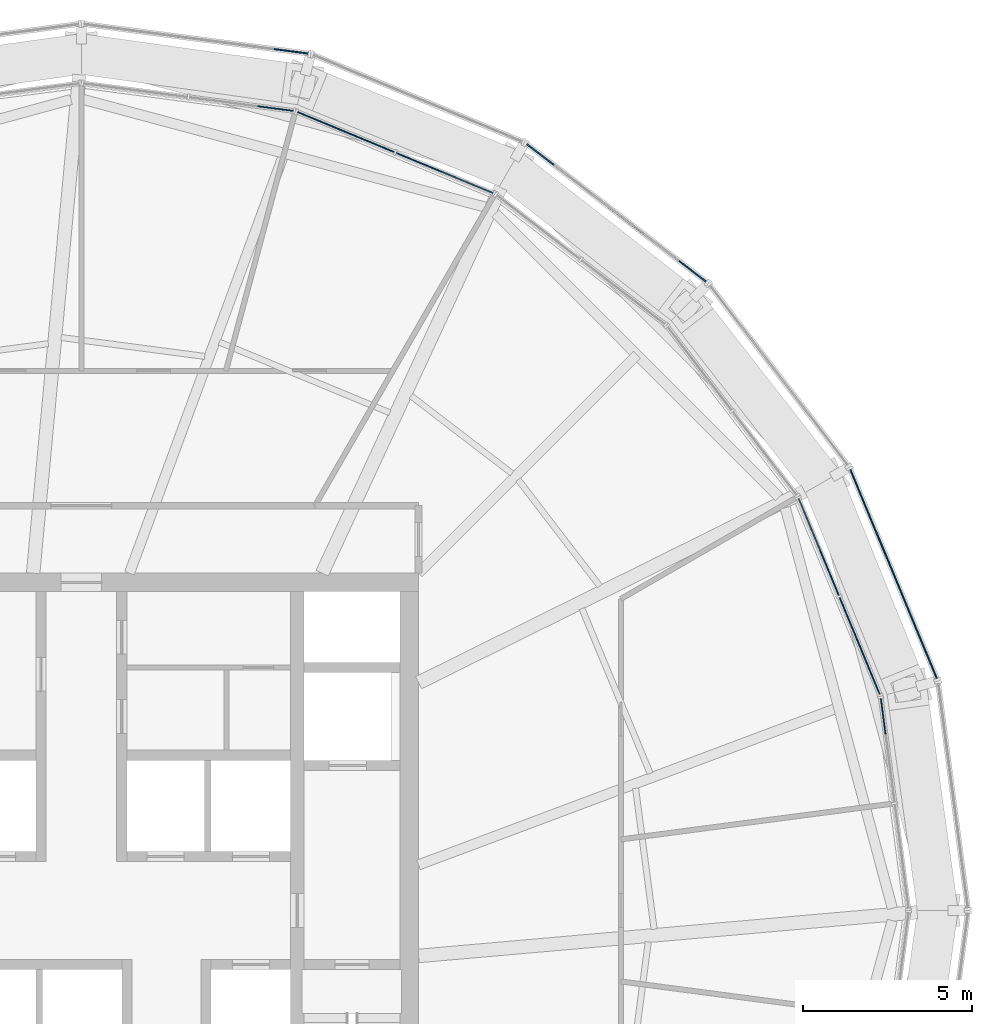
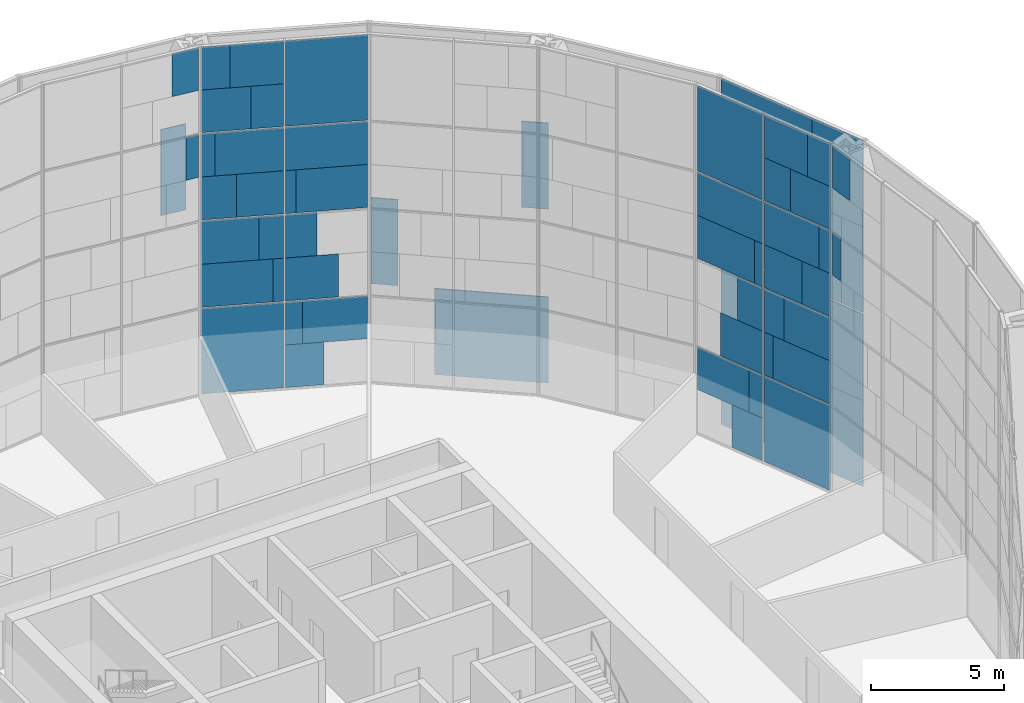
# One storey, part 25 of 29: 62 plates, 7 elements without a shape of their own.
"""IFC4 building model written with IfcOpenShell, lengths in metres."""

from ifc_helpers import new_model, si_unit, direction, frame, origin, origin_2d, place, context, subcontext, project, spatial, rectangle, extrude, material, layer, layer_set, type_object, element, aggregate, save


model = new_model("IFC4")

# Units and contexts
model_context = context("Model", 3, precision=1e-05, world=origin(), true_north=direction((0.0, 1.0)))
body_context = subcontext(model_context, "Body", "Model", "MODEL_VIEW")
ifc_project = project(units=[si_unit("LENGTHUNIT", "METRE"), si_unit("AREAUNIT", "SQUARE_METRE"), si_unit("VOLUMEUNIT", "CUBIC_METRE"), si_unit("PLANEANGLEUNIT", "RADIAN"), si_unit("MASSUNIT", "GRAM", prefix="KILO")], contexts=[model_context])

# Site, building, storey
site_placement = place(None, origin())
site = spatial("IfcSite", under=ifc_project, at=site_placement, CompositionType="ELEMENT")
building_placement = place(site_placement, origin())
building = spatial("IfcBuilding", under=site, at=building_placement, Name="Golbaran Civic Tower", CompositionType="ELEMENT")
storey_placement = place(building_placement, frame((0.0, 0.0, 118.0)))
storey = spatial("IfcBuildingStorey", under=building, at=storey_placement, Name="L28", CompositionType="ELEMENT", Elevation=118.0)

# Curtain wall, plate
ifc_material_1 = material(Name="Aluminium and glass", Category="aluminium")
curtain_wall_type_1 = type_object("IfcCurtainWallType", Name="INNER SKIN CURTAIN WALL", PredefinedType="NOTDEFINED", material=ifc_material_1)
curtain_wall_1_placement = place(storey_placement, origin())
curtain_wall_1 = element("IfcCurtainWall", 1, at=curtain_wall_1_placement, inside=storey, type_object=curtain_wall_type_1, Name="Inner skin L28 facet 1 CW1", ObjectType="INNER SKIN", PredefinedType="USERDEFINED")
ifc_material_2 = material(Name="Clear insulating glass", Category="glass")
ifc_layer_1 = layer(ifc_material_2, 0.031982421875, Name="Clear insulating glass")
ifc_layer_set_1 = layer_set([ifc_layer_1], Name="Clear insulating glass")
plate_type_1 = type_object("IfcPlateType", Name="INNER SKIN CURTAIN WALL GLAZED PANEL", PredefinedType="CURTAIN_PANEL", material=ifc_layer_set_1)
plate_1_placement = place(storey_placement, frame((23.73974609375, 6.03271484375, 10.0), z_axis=(0.0, 0.0, 1.0), x_axis=(-0.130526192237, 0.991444861372, 0.0)))
plate_1 = element("IfcPlate", 2, at=plate_1_placement, type_object=plate_type_1, Name="CW1 panel 2.3 part 4", PredefinedType="CURTAIN_PANEL", context=body_context, shape_type="SweptSolid", body=[
    extrude(rectangle(XDim=0.509765625, YDim=0.031982421875, at=origin_2d()), origin(), (0.0, 0.0, 1.0), 1.967529296875),
])

# Curtain wall, plates
curtain_wall_2_placement = place(storey_placement, origin())
curtain_wall_2 = element("IfcCurtainWall", 3, at=curtain_wall_2_placement, inside=storey, type_object=curtain_wall_type_1, Name="Inner skin L28 facet 2 CW1", ObjectType="INNER SKIN", PredefinedType="USERDEFINED")
plate_2_placement = place(storey_placement, frame((23.0791015625, 7.84423828125, 0.06494140625), z_axis=(0.0, 0.0, 1.0), x_axis=(-0.38268343243, 0.923879532485, 0.0)))
plate_2 = element("IfcPlate", 4, at=plate_2_placement, type_object=plate_type_1, Name="CW1 panel 1.1", PredefinedType="CURTAIN_PANEL", context=body_context, shape_type="SweptSolid", body=[
    extrude(rectangle(XDim=3.104736328125, YDim=0.031982421875, at=origin_2d()), origin(), (0.0, 0.0, 1.0), 3.902587890625),
])
plate_3_placement = place(storey_placement, frame((23.156005859375, 7.658447265625, 4.03271484375), z_axis=(0.0, 0.0, 1.0), x_axis=(-0.38268343243, 0.923879532485, 0.0)))
plate_3 = element("IfcPlate", 5, at=plate_3_placement, type_object=plate_type_1, Name="CW1 panel 1.2 part 1", PredefinedType="CURTAIN_PANEL", context=body_context, shape_type="SweptSolid", body=[
    extrude(rectangle(XDim=2.702880859375, YDim=0.031982421875, at=origin_2d()), origin(), (0.0, 0.0, 1.0), 1.967529296875),
])
plate_4_placement = place(storey_placement, frame((23.2587890625, 7.410400390625, 6.0), z_axis=(0.0, 0.0, 1.0), x_axis=(-0.38268343243, 0.923879532485, 0.0)))
plate_4 = element("IfcPlate", 6, at=plate_4_placement, type_object=plate_type_1, Name="CW1 panel 1.2 part 3", PredefinedType="CURTAIN_PANEL", context=body_context, shape_type="SweptSolid", body=[
    extrude(rectangle(XDim=2.166015625, YDim=0.031982421875, at=origin_2d()), origin(), (0.0, 0.0, 1.0), 1.967529296875),
])
plate_5_placement = place(storey_placement, frame((23.419677734375, 7.02197265625, 8.03271484375), z_axis=(0.0, 0.0, 1.0), x_axis=(-0.38268343243, 0.923879532485, 0.0)))
plate_5 = element("IfcPlate", 7, at=plate_5_placement, type_object=plate_type_1, Name="CW1 panel 1.3 part 1", PredefinedType="CURTAIN_PANEL", context=body_context, shape_type="SweptSolid", body=[
    extrude(rectangle(XDim=1.324951171875, YDim=0.031982421875, at=origin_2d()), origin(), (0.0, 0.0, 1.0), 1.967529296875),
])
plate_6_placement = place(storey_placement, frame((23.57568359375, 6.6455078125, 10.0), z_axis=(0.0, 0.0, 1.0), x_axis=(-0.38268343243, 0.923879532485, 0.0)))
plate_6 = element("IfcPlate", 8, at=plate_6_placement, type_object=plate_type_1, Name="CW1 panel 1.3 part 3", PredefinedType="CURTAIN_PANEL", context=body_context, shape_type="SweptSolid", body=[
    extrude(rectangle(XDim=0.510009765625, YDim=0.031982421875, at=origin_2d()), origin(), (0.0, 0.0, 1.0), 1.967529296875),
])
plate_7_placement = place(storey_placement, frame((22.720703125, 8.70947265625, 12.032470703125), z_axis=(0.0, 0.0, 1.0), x_axis=(-0.38268343243, 0.923879532485, 0.0)))
plate_7 = element("IfcPlate", 9, at=plate_7_placement, type_object=plate_type_1, Name="CW1 panel 1.4 part 2", PredefinedType="CURTAIN_PANEL", context=body_context, shape_type="SweptSolid", body=[
    extrude(rectangle(XDim=1.23193359375, YDim=0.031982421875, at=origin_2d()), origin(), (0.0, 0.0, 1.0), 1.951171875),
])
plate_8_placement = place(storey_placement, frame((22.875244140625, 8.336181640625, 13.98388671875), z_axis=(0.0, 0.0, 1.0), x_axis=(-0.38268343243, 0.923879532485, 0.0)))
plate_8 = element("IfcPlate", 10, at=plate_8_placement, type_object=plate_type_1, Name="CW1 panel 1.4 part 4", PredefinedType="CURTAIN_PANEL", context=body_context, shape_type="SweptSolid", body=[
    extrude(rectangle(XDim=2.039794921875, YDim=0.031982421875, at=origin_2d()), origin(), (0.0, 0.0, 1.0), 1.951171875),
])
plate_9_placement = place(storey_placement, frame((22.180908203125, 10.012451171875, 0.06494140625), z_axis=(0.0, 0.0, 1.0), x_axis=(-0.38268343243, 0.923879532485, 0.0)))
plate_9 = element("IfcPlate", 11, at=plate_9_placement, type_object=plate_type_1, Name="CW1 panel 2.1 part 1", PredefinedType="CURTAIN_PANEL", context=body_context, shape_type="SweptSolid", body=[
    extrude(rectangle(XDim=1.458984375, YDim=0.031982421875, at=origin_2d()), origin(), (0.0, 0.0, 1.0), 1.951171875),
])
plate_10_placement = place(storey_placement, frame((22.33544921875, 9.63916015625, 2.016357421875), z_axis=(0.0, 0.0, 1.0), x_axis=(-0.38268343243, 0.923879532485, 0.0)))
plate_10 = element("IfcPlate", 12, at=plate_10_placement, type_object=plate_type_1, Name="CW1 panel 2.1 part 3", PredefinedType="CURTAIN_PANEL", context=body_context, shape_type="SweptSolid", body=[
    extrude(rectangle(XDim=0.65087890625, YDim=0.031982421875, at=origin_2d()), origin(), (0.0, 0.0, 1.0), 1.951171875),
])
plate_11_placement = place(storey_placement, frame((21.78955078125, 10.95751953125, 8.03271484375), z_axis=(0.0, 0.0, 1.0), x_axis=(-0.38268343243, 0.923879532485, 0.0)))
plate_11 = element("IfcPlate", 13, at=plate_11_placement, type_object=plate_type_1, Name="CW1 panel 2.3 part 2", PredefinedType="CURTAIN_PANEL", context=body_context, shape_type="SweptSolid", body=[
    extrude(rectangle(XDim=2.704833984375, YDim=0.031982421875, at=origin_2d()), origin(), (0.0, 0.0, 1.0), 1.967529296875),
])
plate_12_placement = place(storey_placement, frame((21.865966796875, 10.772705078125, 10.0), z_axis=(0.0, 0.0, 1.0), x_axis=(-0.38268343243, 0.923879532485, 0.0)))
plate_12 = element("IfcPlate", 14, at=plate_12_placement, type_object=plate_type_1, Name="CW1 panel 2.3 part 3", PredefinedType="CURTAIN_PANEL", context=body_context, shape_type="SweptSolid", body=[
    extrude(rectangle(XDim=3.104736328125, YDim=0.031982421875, at=origin_2d()), origin(), (0.0, 0.0, 1.0), 1.967529296875),
])
plate_13_placement = place(storey_placement, frame((21.865966796875, 10.772705078125, 12.0322265625), z_axis=(0.0, 0.0, 1.0), x_axis=(-0.38268343243, 0.923879532485, 0.0)))
plate_13 = element("IfcPlate", 15, at=plate_13_placement, type_object=plate_type_1, Name="CW1 panel 2.4", PredefinedType="CURTAIN_PANEL", context=body_context, shape_type="SweptSolid", body=[
    extrude(rectangle(XDim=3.104736328125, YDim=0.031982421875, at=origin_2d()), origin(), (0.0, 0.0, 1.0), 3.902587890625),
])

curtain_wall_3_placement = place(storey_placement, origin())
curtain_wall_3 = element("IfcCurtainWall", 16, at=curtain_wall_3_placement, inside=storey, type_object=curtain_wall_type_1, Name="Inner skin L28 facet 5 CW1", ObjectType="INNER SKIN", PredefinedType="USERDEFINED")
plate_14_placement = place(storey_placement, frame((10.012451171875, 22.180908203125, 0.06494140625), z_axis=(0.0, 0.0, 1.0), x_axis=(-0.923879532485, 0.38268343243, 0.0)))
plate_14 = element("IfcPlate", 17, at=plate_14_placement, type_object=plate_type_1, Name="CW1 panel 1.1 part 2", PredefinedType="CURTAIN_PANEL", context=body_context, shape_type="SweptSolid", body=[
    extrude(rectangle(XDim=1.458740234375, YDim=0.031982421875, at=origin_2d()), origin(), (0.0, 0.0, 1.0), 1.951171875),
])
plate_15_placement = place(storey_placement, frame((9.6396484375, 22.33544921875, 2.016357421875), z_axis=(0.0, 0.0, 1.0), x_axis=(-0.923879532485, 0.38268343243, 0.0)))
plate_15 = element("IfcPlate", 18, at=plate_15_placement, type_object=plate_type_1, Name="CW1 panel 1.1 part 4", PredefinedType="CURTAIN_PANEL", context=body_context, shape_type="SweptSolid", body=[
    extrude(rectangle(XDim=0.65185546875, YDim=0.031982421875, at=origin_2d()), origin(), (0.0, 0.0, 1.0), 1.951171875),
])
plate_16_placement = place(storey_placement, frame((10.958251953125, 21.7890625, 8.03271484375), z_axis=(0.0, 0.0, 1.0), x_axis=(-0.923879532485, 0.38268343243, 0.0)))
plate_16 = element("IfcPlate", 19, at=plate_16_placement, type_object=plate_type_1, Name="CW1 panel 1.3 part 1", PredefinedType="CURTAIN_PANEL", context=body_context, shape_type="SweptSolid", body=[
    extrude(rectangle(XDim=2.702880859375, YDim=0.031982421875, at=origin_2d()), origin(), (0.0, 0.0, 1.0), 1.967529296875),
])
plate_17_placement = place(storey_placement, frame((10.772705078125, 21.865966796875, 10.0), z_axis=(0.0, 0.0, 1.0), x_axis=(-0.923879532485, 0.38268343243, 0.0)))
plate_17 = element("IfcPlate", 20, at=plate_17_placement, type_object=plate_type_1, Name="CW1 panel 1.3 part 3", PredefinedType="CURTAIN_PANEL", context=body_context, shape_type="SweptSolid", body=[
    extrude(rectangle(XDim=3.104736328125, YDim=0.031982421875, at=origin_2d()), origin(), (0.0, 0.0, 1.0), 1.967529296875),
])
plate_18_placement = place(storey_placement, frame((10.772705078125, 21.865966796875, 12.0322265625), z_axis=(0.0, 0.0, 1.0), x_axis=(-0.923879532485, 0.38268343243, 0.0)))
plate_18 = element("IfcPlate", 21, at=plate_18_placement, type_object=plate_type_1, Name="CW1 panel 1.4", PredefinedType="CURTAIN_PANEL", context=body_context, shape_type="SweptSolid", body=[
    extrude(rectangle(XDim=3.104736328125, YDim=0.031982421875, at=origin_2d()), origin(), (0.0, 0.0, 1.0), 3.902587890625),
])
plate_19_placement = place(storey_placement, frame((7.84423828125, 23.0791015625, 0.06494140625), z_axis=(0.0, 0.0, 1.0), x_axis=(-0.923879532485, 0.38268343243, 0.0)))
plate_19 = element("IfcPlate", 22, at=plate_19_placement, type_object=plate_type_1, Name="CW1 panel 2.1", PredefinedType="CURTAIN_PANEL", context=body_context, shape_type="SweptSolid", body=[
    extrude(rectangle(XDim=3.104736328125, YDim=0.031982421875, at=origin_2d()), origin(), (0.0, 0.0, 1.0), 3.902587890625),
])
plate_20_placement = place(storey_placement, frame((7.658935546875, 23.15576171875, 4.03271484375), z_axis=(0.0, 0.0, 1.0), x_axis=(-0.923879532485, 0.38268343243, 0.0)))
plate_20 = element("IfcPlate", 23, at=plate_20_placement, type_object=plate_type_1, Name="CW1 panel 2.2 part 2", PredefinedType="CURTAIN_PANEL", context=body_context, shape_type="SweptSolid", body=[
    extrude(rectangle(XDim=2.703857421875, YDim=0.031982421875, at=origin_2d()), origin(), (0.0, 0.0, 1.0), 1.967529296875),
])
plate_21_placement = place(storey_placement, frame((7.410400390625, 23.2587890625, 6.0), z_axis=(0.0, 0.0, 1.0), x_axis=(-0.923879532485, 0.38268343243, 0.0)))
plate_21 = element("IfcPlate", 24, at=plate_21_placement, type_object=plate_type_1, Name="CW1 panel 2.2 part 4", PredefinedType="CURTAIN_PANEL", context=body_context, shape_type="SweptSolid", body=[
    extrude(rectangle(XDim=2.165771484375, YDim=0.031982421875, at=origin_2d()), origin(), (0.0, 0.0, 1.0), 1.967529296875),
])
plate_22_placement = place(storey_placement, frame((7.02197265625, 23.419677734375, 8.03271484375), z_axis=(0.0, 0.0, 1.0), x_axis=(-0.923879532485, 0.38268343243, 0.0)))
plate_22 = element("IfcPlate", 25, at=plate_22_placement, type_object=plate_type_1, Name="CW1 panel 2.3 part 2", PredefinedType="CURTAIN_PANEL", context=body_context, shape_type="SweptSolid", body=[
    extrude(rectangle(XDim=1.324951171875, YDim=0.031982421875, at=origin_2d()), origin(), (0.0, 0.0, 1.0), 1.967529296875),
])
plate_23_placement = place(storey_placement, frame((6.6455078125, 23.57568359375, 10.0), z_axis=(0.0, 0.0, 1.0), x_axis=(-0.923879532485, 0.38268343243, 0.0)))
plate_23 = element("IfcPlate", 26, at=plate_23_placement, type_object=plate_type_1, Name="CW1 panel 2.3 part 4", PredefinedType="CURTAIN_PANEL", context=body_context, shape_type="SweptSolid", body=[
    extrude(rectangle(XDim=0.509765625, YDim=0.031982421875, at=origin_2d()), origin(), (0.0, 0.0, 1.0), 1.967529296875),
])
plate_24_placement = place(storey_placement, frame((8.709228515625, 22.720703125, 12.032470703125), z_axis=(0.0, 0.0, 1.0), x_axis=(-0.923879532485, 0.38268343243, 0.0)))
plate_24 = element("IfcPlate", 27, at=plate_24_placement, type_object=plate_type_1, Name="CW1 panel 2.4 part 1", PredefinedType="CURTAIN_PANEL", context=body_context, shape_type="SweptSolid", body=[
    extrude(rectangle(XDim=1.23193359375, YDim=0.031982421875, at=origin_2d()), origin(), (0.0, 0.0, 1.0), 1.951171875),
])
plate_25_placement = place(storey_placement, frame((8.3359375, 22.875244140625, 13.98388671875), z_axis=(0.0, 0.0, 1.0), x_axis=(-0.923879532485, 0.38268343243, 0.0)))
plate_25 = element("IfcPlate", 28, at=plate_25_placement, type_object=plate_type_1, Name="CW1 panel 2.4 part 3", PredefinedType="CURTAIN_PANEL", context=body_context, shape_type="SweptSolid", body=[
    extrude(rectangle(XDim=2.0400390625, YDim=0.031982421875, at=origin_2d()), origin(), (0.0, 0.0, 1.0), 1.951171875),
])

# Curtain wall, plate
curtain_wall_4_placement = place(storey_placement, origin())
curtain_wall_4 = element("IfcCurtainWall", 29, at=curtain_wall_4_placement, inside=storey, type_object=curtain_wall_type_1, Name="Inner skin L28 facet 6 CW1", ObjectType="INNER SKIN", PredefinedType="USERDEFINED")
plate_26_placement = place(storey_placement, frame((6.03271484375, 23.73974609375, 10.0), z_axis=(0.0, 0.0, 1.0), x_axis=(-0.991444861372, 0.130526192237, 0.0)))
plate_26 = element("IfcPlate", 30, at=plate_26_placement, type_object=plate_type_1, Name="CW1 panel 1.3 part 3", PredefinedType="CURTAIN_PANEL", context=body_context, shape_type="SweptSolid", body=[
    extrude(rectangle(XDim=0.510009765625, YDim=0.031982421875, at=origin_2d()), origin(), (0.0, 0.0, 1.0), 1.967529296875),
])

# Plate
ifc_material_3 = material(Name="Aluminium faced opaque infill panel", Category="aluminium")
ifc_layer_2 = layer(ifc_material_3, 0.031982421875, Name="Aluminium faced opaque infill panel")
ifc_layer_set_2 = layer_set([ifc_layer_2], Name="Aluminium faced opaque infill panel")
plate_type_2 = type_object("IfcPlateType", Name="INNER SKIN CURTAIN WALL OPAQUE INFILL PANEL", PredefinedType="CURTAIN_PANEL", material=ifc_layer_set_2)
plate_27_placement = place(storey_placement, frame((23.776123046875, 5.757568359375, 13.98388671875), z_axis=(0.0, 0.0, 1.0), x_axis=(-0.130526192237, 0.991444861372, 0.0)))
plate_27 = element("IfcPlate", 31, at=plate_27_placement, type_object=plate_type_2, Name="CW1 infill panel 2.4 part 4", PredefinedType="CURTAIN_PANEL", context=body_context, shape_type="SweptSolid", body=[
    extrude(rectangle(XDim=1.06494140625, YDim=0.031982421875, at=origin_2d()), origin(), (0.0, 0.0, 1.0), 1.951171875),
])

aggregate(curtain_wall_1, [plate_1, plate_27])

plate_28_placement = place(storey_placement, frame((22.561767578125, 9.0927734375, 4.03271484375), z_axis=(0.0, 0.0, 1.0), x_axis=(-0.38268343243, 0.923879532485, 0.0)))
plate_28 = element("IfcPlate", 32, at=plate_28_placement, type_object=plate_type_2, Name="CW1 infill panel 1.2 part 2", PredefinedType="CURTAIN_PANEL", context=body_context, shape_type="SweptSolid", body=[
    extrude(rectangle(XDim=0.40185546875, YDim=0.031982421875, at=origin_2d()), origin(), (0.0, 0.0, 1.0), 1.967529296875),
])

plate_29_placement = place(storey_placement, frame((22.66455078125, 8.8447265625, 6.0), z_axis=(0.0, 0.0, 1.0), x_axis=(-0.38268343243, 0.923879532485, 0.0)))
plate_29 = element("IfcPlate", 33, at=plate_29_placement, type_object=plate_type_2, Name="CW1 infill panel 1.2 part 4", PredefinedType="CURTAIN_PANEL", context=body_context, shape_type="SweptSolid", body=[
    extrude(rectangle(XDim=0.938720703125, YDim=0.031982421875, at=origin_2d()), origin(), (0.0, 0.0, 1.0), 1.967529296875),
])

plate_30_placement = place(storey_placement, frame((22.825439453125, 8.456298828125, 8.03271484375), z_axis=(0.0, 0.0, 1.0), x_axis=(-0.38268343243, 0.923879532485, 0.0)))
plate_30 = element("IfcPlate", 34, at=plate_30_placement, type_object=plate_type_2, Name="CW1 infill panel 1.3 part 2", PredefinedType="CURTAIN_PANEL", context=body_context, shape_type="SweptSolid", body=[
    extrude(rectangle(XDim=1.77978515625, YDim=0.031982421875, at=origin_2d()), origin(), (0.0, 0.0, 1.0), 1.967529296875),
])

plate_31_placement = place(storey_placement, frame((22.9814453125, 8.079833984375, 10.0), z_axis=(0.0, 0.0, 1.0), x_axis=(-0.38268343243, 0.923879532485, 0.0)))
plate_31 = element("IfcPlate", 35, at=plate_31_placement, type_object=plate_type_2, Name="CW1 infill panel 1.3 part 4", PredefinedType="CURTAIN_PANEL", context=body_context, shape_type="SweptSolid", body=[
    extrude(rectangle(XDim=2.5947265625, YDim=0.031982421875, at=origin_2d()), origin(), (0.0, 0.0, 1.0), 1.967529296875),
])

plate_32_placement = place(storey_placement, frame((23.314697265625, 7.275146484375, 12.032470703125), z_axis=(0.0, 0.0, 1.0), x_axis=(-0.38268343243, 0.923879532485, 0.0)))
plate_32 = element("IfcPlate", 36, at=plate_32_placement, type_object=plate_type_2, Name="CW1 infill panel 1.4 part 1", PredefinedType="CURTAIN_PANEL", context=body_context, shape_type="SweptSolid", body=[
    extrude(rectangle(XDim=1.873046875, YDim=0.031982421875, at=origin_2d()), origin(), (0.0, 0.0, 1.0), 1.951171875),
])

plate_33_placement = place(storey_placement, frame((23.469482421875, 6.90185546875, 13.98388671875), z_axis=(0.0, 0.0, 1.0), x_axis=(-0.38268343243, 0.923879532485, 0.0)))
plate_33 = element("IfcPlate", 37, at=plate_33_placement, type_object=plate_type_2, Name="CW1 infill panel 1.4 part 3", PredefinedType="CURTAIN_PANEL", context=body_context, shape_type="SweptSolid", body=[
    extrude(rectangle(XDim=1.06494140625, YDim=0.031982421875, at=origin_2d()), origin(), (0.0, 0.0, 1.0), 1.951171875),
])

plate_34_placement = place(storey_placement, frame((21.741455078125, 11.073486328125, 2.016357421875), z_axis=(0.0, 0.0, 1.0), x_axis=(-0.38268343243, 0.923879532485, 0.0)))
plate_34 = element("IfcPlate", 38, at=plate_34_placement, type_object=plate_type_2, Name="CW1 infill panel 2.1 part 4", PredefinedType="CURTAIN_PANEL", context=body_context, shape_type="SweptSolid", body=[
    extrude(rectangle(XDim=2.453857421875, YDim=0.031982421875, at=origin_2d()), origin(), (0.0, 0.0, 1.0), 1.951171875),
])

plate_35_placement = place(storey_placement, frame((22.07470703125, 10.268798828125, 4.03271484375), z_axis=(0.0, 0.0, 1.0), x_axis=(-0.38268343243, 0.923879532485, 0.0)))
plate_35 = element("IfcPlate", 39, at=plate_35_placement, type_object=plate_type_2, Name="CW1 infill panel 2.2 part 1", PredefinedType="CURTAIN_PANEL", context=body_context, shape_type="SweptSolid", body=[
    extrude(rectangle(XDim=2.013916015625, YDim=0.031982421875, at=origin_2d()), origin(), (0.0, 0.0, 1.0), 1.967529296875),
])

plate_36_placement = place(storey_placement, frame((22.230712890625, 9.892333984375, 6.0), z_axis=(0.0, 0.0, 1.0), x_axis=(-0.38268343243, 0.923879532485, 0.0)))
plate_36 = element("IfcPlate", 40, at=plate_36_placement, type_object=plate_type_2, Name="CW1 infill panel 2.2 part 3", PredefinedType="CURTAIN_PANEL", context=body_context, shape_type="SweptSolid", body=[
    extrude(rectangle(XDim=1.198974609375, YDim=0.031982421875, at=origin_2d()), origin(), (0.0, 0.0, 1.0), 1.967529296875),
])

plate_37_placement = place(storey_placement, frame((22.383544921875, 9.523193359375, 8.03271484375), z_axis=(0.0, 0.0, 1.0), x_axis=(-0.38268343243, 0.923879532485, 0.0)))
plate_37 = element("IfcPlate", 41, at=plate_37_placement, type_object=plate_type_2, Name="CW1 infill panel 2.3 part 1", PredefinedType="CURTAIN_PANEL", context=body_context, shape_type="SweptSolid", body=[
    extrude(rectangle(XDim=0.39990234375, YDim=0.031982421875, at=origin_2d()), origin(), (0.0, 0.0, 1.0), 1.967529296875),
])

aggregate(curtain_wall_2, [plate_2, plate_3, plate_28, plate_4, plate_29, plate_5, plate_30, plate_6, plate_31, plate_32, plate_7, plate_33, plate_8, plate_9, plate_10, plate_34, plate_35, plate_36, plate_37, plate_11, plate_12, plate_13])

plate_38_placement = place(storey_placement, frame((11.07373046875, 21.7412109375, 2.016357421875), z_axis=(0.0, 0.0, 1.0), x_axis=(-0.923879532485, 0.38268343243, 0.0)))
plate_38 = element("IfcPlate", 42, at=plate_38_placement, type_object=plate_type_2, Name="CW1 infill panel 1.1 part 3", PredefinedType="CURTAIN_PANEL", context=body_context, shape_type="SweptSolid", body=[
    extrude(rectangle(XDim=2.452880859375, YDim=0.031982421875, at=origin_2d()), origin(), (0.0, 0.0, 1.0), 1.951171875),
])

plate_39_placement = place(storey_placement, frame((10.268798828125, 22.07470703125, 4.03271484375), z_axis=(0.0, 0.0, 1.0), x_axis=(-0.923879532485, 0.38268343243, 0.0)))
plate_39 = element("IfcPlate", 43, at=plate_39_placement, type_object=plate_type_2, Name="CW1 infill panel 1.2 part 2", PredefinedType="CURTAIN_PANEL", context=body_context, shape_type="SweptSolid", body=[
    extrude(rectangle(XDim=2.013916015625, YDim=0.031982421875, at=origin_2d()), origin(), (0.0, 0.0, 1.0), 1.967529296875),
])

plate_40_placement = place(storey_placement, frame((9.892822265625, 22.23046875, 6.0), z_axis=(0.0, 0.0, 1.0), x_axis=(-0.923879532485, 0.38268343243, 0.0)))
plate_40 = element("IfcPlate", 44, at=plate_40_placement, type_object=plate_type_2, Name="CW1 infill panel 1.2 part 4", PredefinedType="CURTAIN_PANEL", context=body_context, shape_type="SweptSolid", body=[
    extrude(rectangle(XDim=1.199951171875, YDim=0.031982421875, at=origin_2d()), origin(), (0.0, 0.0, 1.0), 1.967529296875),
])

plate_41_placement = place(storey_placement, frame((9.524169921875, 22.38330078125, 8.03271484375), z_axis=(0.0, 0.0, 1.0), x_axis=(-0.923879532485, 0.38268343243, 0.0)))
plate_41 = element("IfcPlate", 45, at=plate_41_placement, type_object=plate_type_2, Name="CW1 infill panel 1.3 part 2", PredefinedType="CURTAIN_PANEL", context=body_context, shape_type="SweptSolid", body=[
    extrude(rectangle(XDim=0.40185546875, YDim=0.031982421875, at=origin_2d()), origin(), (0.0, 0.0, 1.0), 1.967529296875),
])

plate_42_placement = place(storey_placement, frame((9.09326171875, 22.561767578125, 4.03271484375), z_axis=(0.0, 0.0, 1.0), x_axis=(-0.923879532485, 0.38268343243, 0.0)))
plate_42 = element("IfcPlate", 46, at=plate_42_placement, type_object=plate_type_2, Name="CW1 infill panel 2.2 part 1", PredefinedType="CURTAIN_PANEL", context=body_context, shape_type="SweptSolid", body=[
    extrude(rectangle(XDim=0.40087890625, YDim=0.031982421875, at=origin_2d()), origin(), (0.0, 0.0, 1.0), 1.967529296875),
])

plate_43_placement = place(storey_placement, frame((8.8447265625, 22.66455078125, 6.0), z_axis=(0.0, 0.0, 1.0), x_axis=(-0.923879532485, 0.38268343243, 0.0)))
plate_43 = element("IfcPlate", 47, at=plate_43_placement, type_object=plate_type_2, Name="CW1 infill panel 2.2 part 3", PredefinedType="CURTAIN_PANEL", context=body_context, shape_type="SweptSolid", body=[
    extrude(rectangle(XDim=0.93896484375, YDim=0.031982421875, at=origin_2d()), origin(), (0.0, 0.0, 1.0), 1.967529296875),
])

plate_44_placement = place(storey_placement, frame((8.4560546875, 22.82568359375, 8.03271484375), z_axis=(0.0, 0.0, 1.0), x_axis=(-0.923879532485, 0.38268343243, 0.0)))
plate_44 = element("IfcPlate", 48, at=plate_44_placement, type_object=plate_type_2, Name="CW1 infill panel 2.3 part 1", PredefinedType="CURTAIN_PANEL", context=body_context, shape_type="SweptSolid", body=[
    extrude(rectangle(XDim=1.780029296875, YDim=0.031982421875, at=origin_2d()), origin(), (0.0, 0.0, 1.0), 1.967529296875),
])

plate_45_placement = place(storey_placement, frame((8.07958984375, 22.9814453125, 10.0), z_axis=(0.0, 0.0, 1.0), x_axis=(-0.923879532485, 0.38268343243, 0.0)))
plate_45 = element("IfcPlate", 49, at=plate_45_placement, type_object=plate_type_2, Name="CW1 infill panel 2.3 part 3", PredefinedType="CURTAIN_PANEL", context=body_context, shape_type="SweptSolid", body=[
    extrude(rectangle(XDim=2.594970703125, YDim=0.031982421875, at=origin_2d()), origin(), (0.0, 0.0, 1.0), 1.967529296875),
])

plate_46_placement = place(storey_placement, frame((7.275146484375, 23.314697265625, 12.032470703125), z_axis=(0.0, 0.0, 1.0), x_axis=(-0.923879532485, 0.38268343243, 0.0)))
plate_46 = element("IfcPlate", 50, at=plate_46_placement, type_object=plate_type_2, Name="CW1 infill panel 2.4 part 2", PredefinedType="CURTAIN_PANEL", context=body_context, shape_type="SweptSolid", body=[
    extrude(rectangle(XDim=1.872802734375, YDim=0.031982421875, at=origin_2d()), origin(), (0.0, 0.0, 1.0), 1.951171875),
])

plate_47_placement = place(storey_placement, frame((6.90185546875, 23.469482421875, 13.98388671875), z_axis=(0.0, 0.0, 1.0), x_axis=(-0.923879532485, 0.38268343243, 0.0)))
plate_47 = element("IfcPlate", 51, at=plate_47_placement, type_object=plate_type_2, Name="CW1 infill panel 2.4 part 4", PredefinedType="CURTAIN_PANEL", context=body_context, shape_type="SweptSolid", body=[
    extrude(rectangle(XDim=1.06494140625, YDim=0.031982421875, at=origin_2d()), origin(), (0.0, 0.0, 1.0), 1.951171875),
])

aggregate(curtain_wall_3, [plate_14, plate_38, plate_15, plate_39, plate_40, plate_16, plate_41, plate_17, plate_18, plate_19, plate_42, plate_20, plate_43, plate_21, plate_44, plate_22, plate_45, plate_23, plate_24, plate_46, plate_25, plate_47])

plate_48_placement = place(storey_placement, frame((5.757568359375, 23.776123046875, 13.98388671875), z_axis=(0.0, 0.0, 1.0), x_axis=(-0.991444861372, 0.130526192237, 0.0)))
plate_48 = element("IfcPlate", 52, at=plate_48_placement, type_object=plate_type_2, Name="CW1 infill panel 1.4 part 3", PredefinedType="CURTAIN_PANEL", context=body_context, shape_type="SweptSolid", body=[
    extrude(rectangle(XDim=1.06494140625, YDim=0.031982421875, at=origin_2d()), origin(), (0.0, 0.0, 1.0), 1.951171875),
])

aggregate(curtain_wall_4, [plate_26, plate_48])

# Curtain wall, plates
curtain_wall_type_2 = type_object("IfcCurtainWallType", Name="OUTER SKIN TERRACOTTA SCREEN", PredefinedType="NOTDEFINED", material=ifc_material_1)
curtain_wall_5_placement = place(storey_placement, origin())
curtain_wall_5 = element("IfcCurtainWall", 53, at=curtain_wall_5_placement, inside=storey, type_object=curtain_wall_type_2, Name="Outer skin L28 facet 2 CW3", ObjectType="OUTER SKIN", PredefinedType="USERDEFINED")
ifc_material_4 = material(Name="Clear laminated glass", Category="glass")
ifc_layer_3 = layer(ifc_material_4, 0.0400390625, Name="Clear laminated glass")
ifc_layer_set_3 = layer_set([ifc_layer_3], Name="Clear laminated glass")
plate_type_3 = type_object("IfcPlateType", Name="OUTER SKIN CLEAR GLASS PANEL", PredefinedType="CURTAIN_PANEL", material=ifc_layer_set_3)
plate_49_placement = place(storey_placement, frame((24.542236328125, 8.869140625, -0.6298828125), z_axis=(0.0, 0.0, 1.0), x_axis=(-0.382683432381, 0.923879532505, 0.0)))
plate_49 = element("IfcPlate", 54, at=plate_49_placement, type_object=plate_type_3, Name="CW3 panel 1.1 part 1", PredefinedType="CURTAIN_PANEL", context=body_context, shape_type="SweptSolid", body=[
    extrude(rectangle(XDim=4.30810546875, YDim=0.0400390625, at=origin_2d()), origin(), (0.0, 0.0, 1.0), 3.93994140625),
])
plate_50_placement = place(storey_placement, frame((24.854248046875, 8.11572265625, 3.31005859375), z_axis=(0.0, 0.0, 1.0), x_axis=(-0.382683432381, 0.923879532505, 0.0)))
plate_50 = element("IfcPlate", 55, at=plate_50_placement, type_object=plate_type_3, Name="CW3 panel 1.1 part 3", PredefinedType="CURTAIN_PANEL", context=body_context, shape_type="SweptSolid", body=[
    extrude(rectangle(XDim=2.677001953125, YDim=0.0400390625, at=origin_2d()), origin(), (0.0, 0.0, 1.0), 3.93994140625),
])
plate_51_placement = place(storey_placement, frame((22.99365234375, 12.607421875, 3.31005859375), z_axis=(0.0, 0.0, 1.0), x_axis=(-0.382683432381, 0.923879532505, 0.0)))
plate_51 = element("IfcPlate", 56, at=plate_51_placement, type_object=plate_type_3, Name="CW3 panel 1.1 part 5", PredefinedType="CURTAIN_PANEL", context=body_context, shape_type="SweptSolid", body=[
    extrude(rectangle(XDim=1.0068359375, YDim=0.0400390625, at=origin_2d()), origin(), (0.0, 0.0, 1.0), 3.93994140625),
])
plate_52_placement = place(storey_placement, frame((25.17236328125, 7.347412109375, 7.330078125), z_axis=(0.0, 0.0, 1.0), x_axis=(-0.382683432381, 0.923879532505, 0.0)))
plate_52 = element("IfcPlate", 57, at=plate_52_placement, type_object=plate_type_3, Name="CW3 panel 1.2 part 1", PredefinedType="CURTAIN_PANEL", context=body_context, shape_type="SweptSolid", body=[
    extrude(rectangle(XDim=1.013916015625, YDim=0.0400390625, at=origin_2d()), origin(), (0.0, 0.0, 1.0), 3.93994140625),
])
plate_53_placement = place(storey_placement, frame((23.31201171875, 11.8388671875, 7.330078125), z_axis=(0.0, 0.0, 1.0), x_axis=(-0.382683432381, 0.923879532505, 0.0)))
plate_53 = element("IfcPlate", 58, at=plate_53_placement, type_object=plate_type_3, Name="CW3 panel 1.2 part 3", PredefinedType="CURTAIN_PANEL", context=body_context, shape_type="SweptSolid", body=[
    extrude(rectangle(XDim=2.6708984375, YDim=0.0400390625, at=origin_2d()), origin(), (0.0, 0.0, 1.0), 3.93994140625),
])
plate_54_placement = place(storey_placement, frame((23.6240234375, 11.0859375, 11.27001953125), z_axis=(0.0, 0.0, 1.0), x_axis=(-0.382683432381, 0.923879532505, 0.0)))
plate_54 = element("IfcPlate", 59, at=plate_54_placement, type_object=plate_type_3, Name="CW3 panel 1.2 part 5", PredefinedType="CURTAIN_PANEL", context=body_context, shape_type="SweptSolid", body=[
    extrude(rectangle(XDim=4.30078125, YDim=0.0400390625, at=origin_2d()), origin(), (0.0, 0.0, 1.0), 3.93994140625),
])

curtain_wall_6_placement = place(storey_placement, origin())
curtain_wall_6 = element("IfcCurtainWall", 60, at=curtain_wall_6_placement, inside=storey, type_object=curtain_wall_type_2, Name="Outer skin L28 facet 4 CW3", ObjectType="OUTER SKIN", PredefinedType="USERDEFINED")
plate_55_placement = place(storey_placement, frame((16.819580078125, 19.951904296875, -0.6298828125), z_axis=(0.0, 0.0, 1.0), x_axis=(-0.793353340302, 0.608761428995, 0.0)))
plate_55 = element("IfcPlate", 61, at=plate_55_placement, type_object=plate_type_3, Name="CW3 panel 1.1 part 1", PredefinedType="CURTAIN_PANEL", context=body_context, shape_type="SweptSolid", body=[
    extrude(rectangle(XDim=4.30810546875, YDim=0.0400390625, at=origin_2d()), origin(), (0.0, 0.0, 1.0), 3.93994140625),
])
plate_56_placement = place(storey_placement, frame((13.609375, 22.415283203125, 3.31005859375), z_axis=(0.0, 0.0, 1.0), x_axis=(-0.793353340302, 0.608761428995, 0.0)))
plate_56 = element("IfcPlate", 62, at=plate_56_placement, type_object=plate_type_3, Name="CW3 panel 1.1 part 5", PredefinedType="CURTAIN_PANEL", context=body_context, shape_type="SweptSolid", body=[
    extrude(rectangle(XDim=1.0068359375, YDim=0.0400390625, at=origin_2d()), origin(), (0.0, 0.0, 1.0), 3.93994140625),
])
plate_57_placement = place(storey_placement, frame((18.126220703125, 18.94921875, 7.330078125), z_axis=(0.0, 0.0, 1.0), x_axis=(-0.793353340302, 0.608761428995, 0.0)))
plate_57 = element("IfcPlate", 63, at=plate_57_placement, type_object=plate_type_3, Name="CW3 panel 1.2 part 1", PredefinedType="CURTAIN_PANEL", context=body_context, shape_type="SweptSolid", body=[
    extrude(rectangle(XDim=1.013916015625, YDim=0.0400390625, at=origin_2d()), origin(), (0.0, 0.0, 1.0), 3.93994140625),
])
aggregate(curtain_wall_6, [plate_55, plate_56, plate_57])

# Curtain wall, plate
curtain_wall_7_placement = place(storey_placement, origin())
curtain_wall_7 = element("IfcCurtainWall", 64, at=curtain_wall_7_placement, inside=storey, type_object=curtain_wall_type_2, Name="Outer skin L28 facet 6 CW3", ObjectType="OUTER SKIN", PredefinedType="USERDEFINED")
plate_58_placement = place(storey_placement, frame((6.22314453125, 25.4736328125, 7.330078125), z_axis=(0.0, 0.0, 1.0), x_axis=(-0.991444861381, 0.130526192168, 0.0)))
plate_58 = element("IfcPlate", 65, at=plate_58_placement, type_object=plate_type_3, Name="CW3 panel 1.2 part 1", PredefinedType="CURTAIN_PANEL", context=body_context, shape_type="SweptSolid", body=[
    extrude(rectangle(XDim=1.013916015625, YDim=0.0400390625, at=origin_2d()), origin(), (0.0, 0.0, 1.0), 3.93994140625),
])
aggregate(curtain_wall_7, [plate_58])

# Plate
ifc_material_5 = material(Name="Terracotta baguette screen", Category="masonry")
ifc_layer_4 = layer(ifc_material_5, 0.0400390625, Name="Terracotta baguette screen")
ifc_layer_set_4 = layer_set([ifc_layer_4], Name="Terracotta baguette screen")
plate_type_4 = type_object("IfcPlateType", Name="OUTER SKIN TERRACOTTA INFILL PANEL", PredefinedType="CURTAIN_PANEL", material=ifc_layer_set_4)
plate_59_placement = place(storey_placement, frame((23.259521484375, 11.9658203125, -0.6298828125), z_axis=(0.0, 0.0, 1.0), x_axis=(-0.382683432381, 0.923879532505, 0.0)))
plate_59 = element("IfcPlate", 66, at=plate_59_placement, type_object=plate_type_4, Name="CW3 infill panel 1.1 part 2", PredefinedType="CURTAIN_PANEL", context=body_context, shape_type="SweptSolid", body=[
    extrude(rectangle(XDim=2.395751953125, YDim=0.0400390625, at=origin_2d()), origin(), (0.0, 0.0, 1.0), 3.93994140625),
])

plate_60_placement = place(storey_placement, frame((23.76416015625, 10.747314453125, 3.31005859375), z_axis=(0.0, 0.0, 1.0), x_axis=(-0.382683432381, 0.923879532505, 0.0)))
plate_60 = element("IfcPlate", 67, at=plate_60_placement, type_object=plate_type_4, Name="CW3 infill panel 1.1 part 4", PredefinedType="CURTAIN_PANEL", context=body_context, shape_type="SweptSolid", body=[
    extrude(rectangle(XDim=3.02001953125, YDim=0.0400390625, at=origin_2d()), origin(), (0.0, 0.0, 1.0), 3.93994140625),
])

plate_61_placement = place(storey_placement, frame((24.40087890625, 9.21044921875, 7.330078125), z_axis=(0.0, 0.0, 1.0), x_axis=(-0.382683432381, 0.923879532505, 0.0)))
plate_61 = element("IfcPlate", 68, at=plate_61_placement, type_object=plate_type_4, Name="CW3 infill panel 1.2 part 2", PredefinedType="CURTAIN_PANEL", context=body_context, shape_type="SweptSolid", body=[
    extrude(rectangle(XDim=3.01904296875, YDim=0.0400390625, at=origin_2d()), origin(), (0.0, 0.0, 1.0), 3.93994140625),
])

plate_62_placement = place(storey_placement, frame((24.90673828125, 7.989013671875, 11.27001953125), z_axis=(0.0, 0.0, 1.0), x_axis=(-0.382683432381, 0.923879532505, 0.0)))
plate_62 = element("IfcPlate", 69, at=plate_62_placement, type_object=plate_type_4, Name="CW3 infill panel 1.2 part 4", PredefinedType="CURTAIN_PANEL", context=body_context, shape_type="SweptSolid", body=[
    extrude(rectangle(XDim=2.403076171875, YDim=0.0400390625, at=origin_2d()), origin(), (0.0, 0.0, 1.0), 3.93994140625),
])

aggregate(curtain_wall_5, [plate_49, plate_59, plate_50, plate_60, plate_51, plate_52, plate_61, plate_53, plate_62, plate_54])

save(model, "model.ifc")
